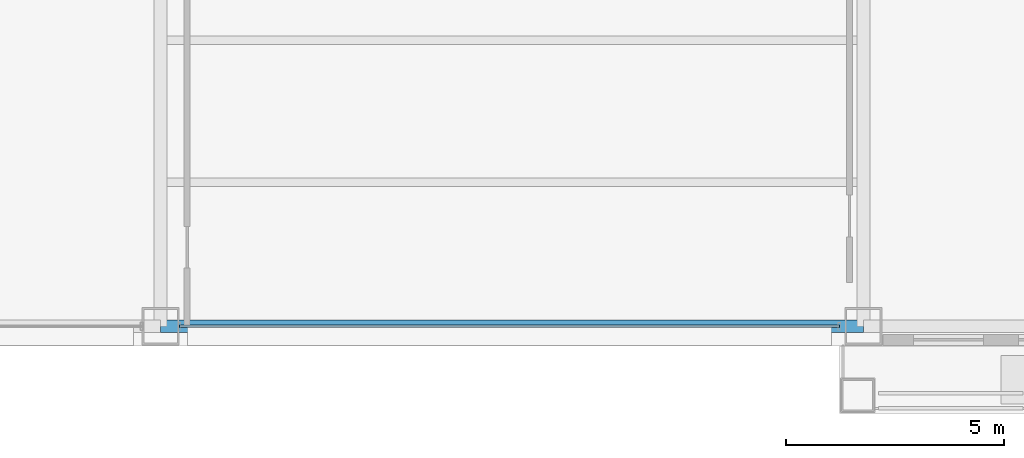
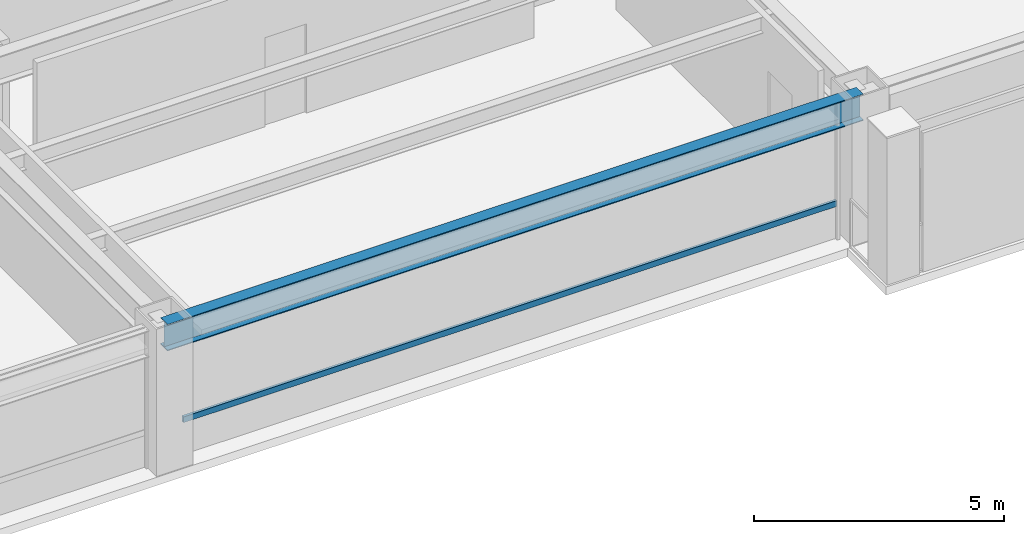
# One storey, part 7 of 34: 1 beam, 1 member, 1 element without a shape of its own.
"""IFC4 building model written with IfcOpenShell, lengths in metres."""

from ifc_helpers import new_model, si_unit, direction, frame, origin, origin_2d, place, context, subcontext, project, spatial, hollow_rectangle, i_section, extrude, material, layer, layer_set, material_profile, profile_set, type_object, element, aggregate, save


model = new_model("IFC4")

# Units and contexts
model_context = context("Model", 3, precision=1e-05, world=origin(), true_north=direction((0.0, 1.0)))
body_context = subcontext(model_context, "Body", "Model", "MODEL_VIEW")
ifc_project = project(units=[si_unit("LENGTHUNIT", "METRE"), si_unit("AREAUNIT", "SQUARE_METRE"), si_unit("VOLUMEUNIT", "CUBIC_METRE"), si_unit("PLANEANGLEUNIT", "RADIAN"), si_unit("MASSUNIT", "GRAM", prefix="KILO")], contexts=[model_context])

# Site, building, storey
site_placement = place(None, origin())
site = spatial("IfcSite", under=ifc_project, at=site_placement, CompositionType="ELEMENT")
building_placement = place(site_placement, origin())
building = spatial("IfcBuilding", under=site, at=building_placement, Name="Brelmoor Portico Tower", CompositionType="ELEMENT")
storey_placement = place(building_placement, frame((0.0, 0.0, 99.0)))
storey = spatial("IfcBuildingStorey", under=building, at=storey_placement, Name="L25", CompositionType="ELEMENT", Elevation=99.0)

# Beam
ifc_material_1 = material(Name="Steel Q355B", Category="steel")
ifc_material_profile_1 = material_profile(ifc_material_1, i_section(OverallWidth=0.280029296875, OverallDepth=0.64990234375, WebThickness=0.012939453125, FlangeThickness=0.02197265625, at=origin_2d()), Name="HN 650x280x13x22")
ifc_profile_set_1 = profile_set([ifc_material_profile_1], Name="Steel Q355B")
beam_type = type_object("IfcBeamType", Name="BM-SP-650", PredefinedType="SPANDREL", material=ifc_profile_set_1)
beam_placement = place(storey_placement, frame((-8.050048828125, -19.550048828125, 3.074951171875), z_axis=(1.0, 0.0, 0.0), x_axis=(0.0, 1.0, 0.0)))
element("IfcBeam", 1, at=beam_placement, inside=storey, type_object=beam_type, Name="L25 Perimeter Spandrel Beam SP-03", PredefinedType="SPANDREL", context=body_context, shape_type="SweptSolid", body=[
    extrude(i_section(OverallWidth=0.280029296875, OverallDepth=0.64990234375, WebThickness=0.012939453125, FlangeThickness=0.02197265625, at=origin_2d()), origin(), (0.0, 0.0, 1.0), 16.10009765625),
])

# Curtain wall, member
ifc_material_2 = material(Name="Anodised Aluminium Alloy 6063-T6", Category="aluminium")
ifc_layer = layer(ifc_material_2, 0.179931640625)
ifc_layer_set = layer_set([ifc_layer], Name="Anodised Aluminium Alloy 6063-T6")
curtain_wall_type = type_object("IfcCurtainWallType", Name="CW-TOWER-Z2", PredefinedType="NOTDEFINED", material=ifc_layer_set)
curtain_wall_placement = place(storey_placement, origin())
curtain_wall = element("IfcCurtainWall", 2, at=curtain_wall_placement, inside=storey, type_object=curtain_wall_type, Name="L25 Curtain Wall CW-L25-1L-3", PredefinedType="NOTDEFINED")
ifc_material_profile_2 = material_profile(ifc_material_2, hollow_rectangle(XDim=0.06494140625, YDim=0.139892578125, WallThickness=0.00390625, at=origin_2d()), Name="ALU TRANSOM 65x140")
ifc_profile_set_2 = profile_set([ifc_material_profile_2], Name="Anodised Aluminium Alloy 6063-T6")
member_type = type_object("IfcMemberType", Name="MB-CW-TRAN-140", PredefinedType="USERDEFINED", material=ifc_profile_set_2)
member_placement = place(storey_placement, frame((-7.614990234375, -19.550048828125, 0.85009765625), z_axis=(1.0, 0.0, 0.0), x_axis=(0.0, 1.0, 0.0)))
member = element("IfcMember", 3, at=member_placement, type_object=member_type, Name="CW-L25-1L-3 Transom 1-00", ObjectType="TRANSOM", PredefinedType="USERDEFINED", context=body_context, shape_type="SweptSolid", body=[
    extrude(hollow_rectangle(XDim=0.06494140625, YDim=0.139892578125, WallThickness=0.00390625, at=origin_2d()), origin(), (0.0, 0.0, 1.0), 15.114990234375),
])
aggregate(curtain_wall, [member])

save(model, "model.ifc")
